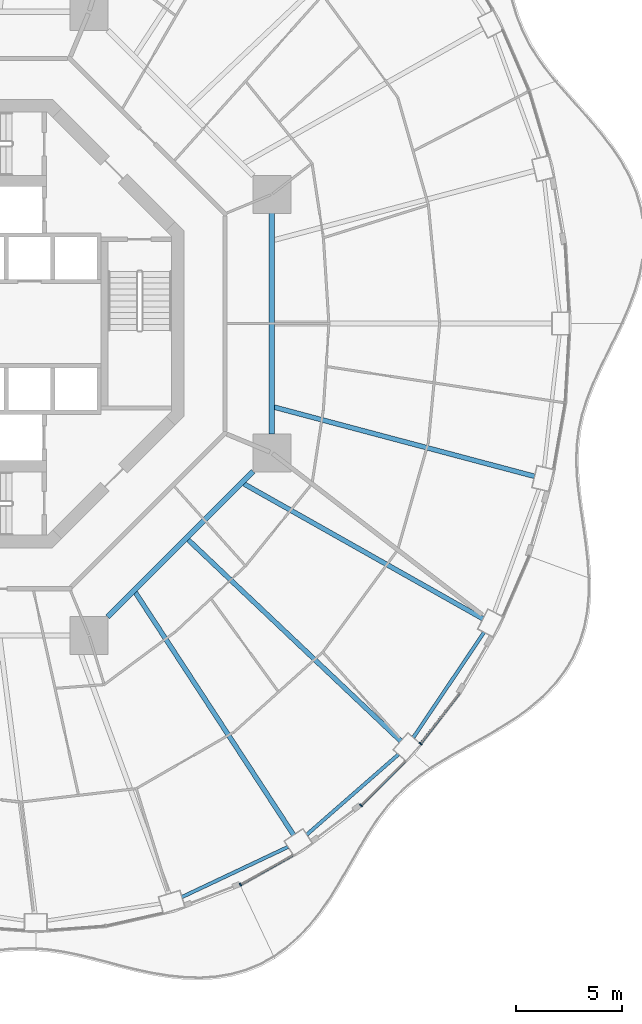
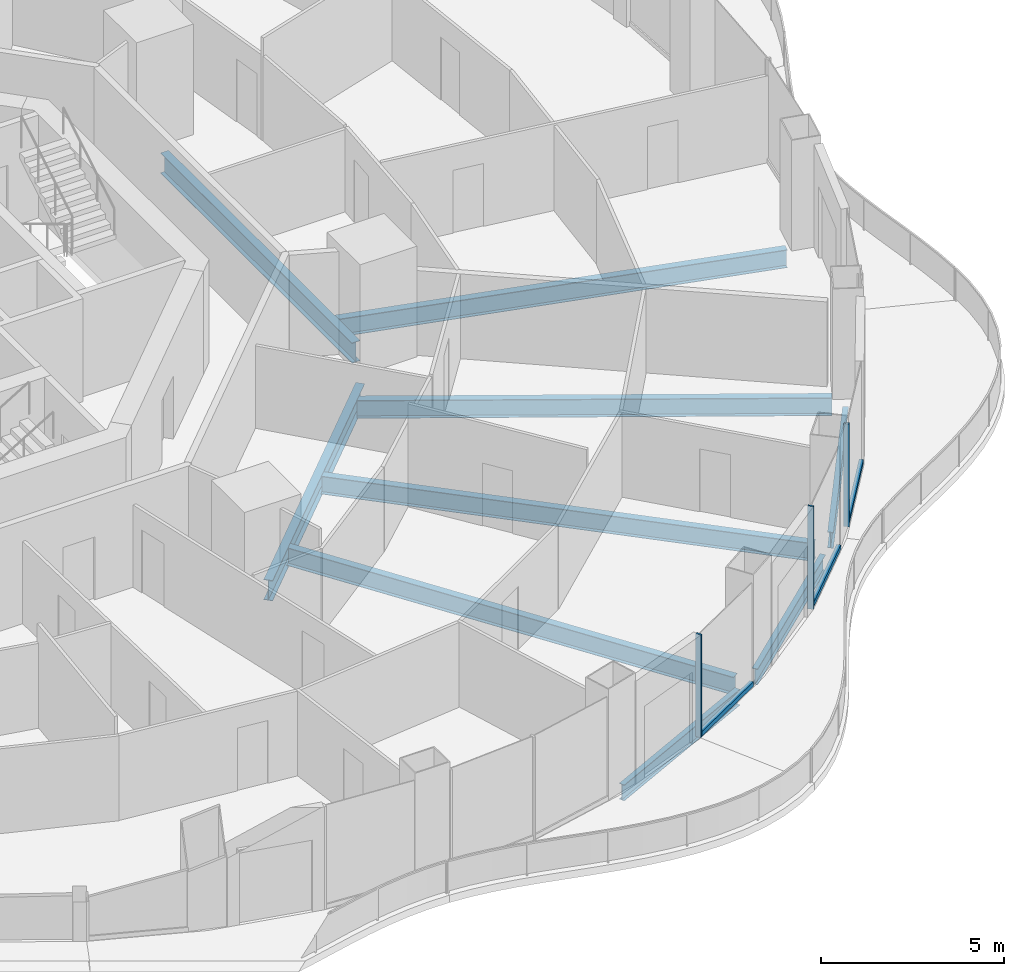
# One storey, part 4 of 19: 9 beams, 6 members, 3 elements without a shape of their own.
"""IFC4 building model written with IfcOpenShell, lengths in metres."""

from ifc_helpers import new_model, si_unit, direction, frame, origin, origin_2d, place, context, subcontext, project, spatial, rectangle, i_section, extrude, material, layer, layer_set, material_profile, profile_set, type_object, element, aggregate, save


model = new_model("IFC4")

# Units and contexts
model_context = context("Model", 3, precision=1e-05, world=origin(), true_north=direction((0.0, 1.0)))
body_context = subcontext(model_context, "Body", "Model", "MODEL_VIEW")
ifc_project = project(units=[si_unit("LENGTHUNIT", "METRE"), si_unit("AREAUNIT", "SQUARE_METRE"), si_unit("VOLUMEUNIT", "CUBIC_METRE"), si_unit("PLANEANGLEUNIT", "RADIAN"), si_unit("MASSUNIT", "GRAM", prefix="KILO")], contexts=[model_context])

# Site, building, storey
site_placement = place(None, origin())
site = spatial("IfcSite", under=ifc_project, at=site_placement, CompositionType="ELEMENT")
building_placement = place(site_placement, origin())
building = spatial("IfcBuilding", under=site, at=building_placement, Name="Nagisa Residences", CompositionType="ELEMENT")
storey_placement = place(building_placement, frame((0.0, 0.0, 188.10009765625)))
storey = spatial("IfcBuildingStorey", under=building, at=storey_placement, Name="L47", CompositionType="ELEMENT", Elevation=188.10009765625)

# Curtain wall, member
ifc_material_1 = material(Name="Concrete-coloured aluminium curtain wall system", Category="concrete")
ifc_layer = layer(ifc_material_1, 0.159912109375)
ifc_layer_set = layer_set([ifc_layer], Name="CW1 CURTAIN WALL")
curtain_wall_type = type_object("IfcCurtainWallType", Name="CW1 CURTAIN WALL", PredefinedType="NOTDEFINED", material=ifc_layer_set)
curtain_wall_1_placement = place(storey_placement, origin())
curtain_wall_1 = element("IfcCurtainWall", 1, at=curtain_wall_1_placement, inside=storey, type_object=curtain_wall_type, Name="cw:CW1:L47:39", PredefinedType="NOTDEFINED")
ifc_material_2 = material(Name="Concrete-coloured aluminium", Category="concrete")
ifc_material_profile_1 = material_profile(ifc_material_2, rectangle(XDim=0.159912109375, YDim=0.06005859375, at=origin_2d()), Name="CW1 MULLION 160x60")
ifc_profile_set_1 = profile_set([ifc_material_profile_1], Name="Concrete-coloured aluminium")
member_type_1 = type_object("IfcMemberType", Name="CW1 MULLION 160x60", PredefinedType="MULLION", material=ifc_profile_set_1)
member_1_placement = place(storey_placement, frame((13.297607421875, -26.592529296875, 0.0), z_axis=(0.0, 0.0, 1.0), x_axis=(-0.489376918501, 0.872072377523, 0.0)))
member_1 = element("IfcMember", 2, at=member_1_placement, type_object=member_type_1, Name="CW1 mullion", PredefinedType="MULLION", context=body_context, shape_type="SweptSolid", body=[
    extrude(rectangle(XDim=0.159912109375, YDim=0.06005859375, at=origin_2d()), origin(), (0.0, 0.0, 1.0), 3.43994140625),
])

curtain_wall_2_placement = place(storey_placement, origin())
curtain_wall_2 = element("IfcCurtainWall", 3, at=curtain_wall_2_placement, inside=storey, type_object=curtain_wall_type, Name="cw:CW1:L47:41", PredefinedType="NOTDEFINED")
member_2_placement = place(storey_placement, frame((19.011962890625, -22.830322265625, 0.0), z_axis=(0.0, 0.0, 1.0), x_axis=(-0.706376885714, 0.707835924016, 0.0)))
member_2 = element("IfcMember", 4, at=member_2_placement, type_object=member_type_1, Name="CW1 mullion", PredefinedType="MULLION", context=body_context, shape_type="SweptSolid", body=[
    extrude(rectangle(XDim=0.159912109375, YDim=0.06005859375, at=origin_2d()), origin(), (0.0, 0.0, 1.0), 3.43994140625),
])

curtain_wall_3_placement = place(storey_placement, origin())
curtain_wall_3 = element("IfcCurtainWall", 5, at=curtain_wall_3_placement, inside=storey, type_object=curtain_wall_type, Name="cw:CW1:L47:42", PredefinedType="NOTDEFINED")
member_3_placement = place(storey_placement, frame((21.83349609375, -19.909423828125, 0.0), z_axis=(0.0, 0.0, 1.0), x_axis=(-0.792070340816, 0.610429828235, 0.0)))
member_3 = element("IfcMember", 6, at=member_3_placement, type_object=member_type_1, Name="CW1 mullion", PredefinedType="MULLION", context=body_context, shape_type="SweptSolid", body=[
    extrude(rectangle(XDim=0.159912109375, YDim=0.06005859375, at=origin_2d()), origin(), (0.0, 0.0, 1.0), 3.43994140625),
])

# Member
ifc_material_3 = material(Name="Concrete-coloured aluminium", Category="concrete")
ifc_material_profile_2 = material_profile(ifc_material_3, rectangle(XDim=0.1201171875, YDim=0.14990234375, at=origin_2d()), Name="CW1 TRANSOM 120x150")
ifc_profile_set_2 = profile_set([ifc_material_profile_2], Name="Concrete-coloured aluminium")
member_type_2 = type_object("IfcMemberType", Name="CW1 TRANSOM 120x150", PredefinedType="USERDEFINED", material=ifc_profile_set_2)
member_4_placement = place(storey_placement, frame((13.271484375, -26.607177734375, 0.074951171875), z_axis=(0.872078262455, 0.489366431371, 0.0), x_axis=(-0.489366431371, 0.872078262455, 0.0)))
member_4 = element("IfcMember", 7, at=member_4_placement, type_object=member_type_2, Name="CW1 transom", ObjectType="TRANSOM", PredefinedType="USERDEFINED", context=body_context, shape_type="SweptSolid", body=[
    extrude(rectangle(XDim=0.1201171875, YDim=0.14990234375, at=origin_2d()), origin(), (0.0, 0.0, 1.0), 2.863525390625),
])

aggregate(curtain_wall_1, [member_1, member_4])

member_5_placement = place(storey_placement, frame((18.99072265625, -22.8515625, 0.074951171875), z_axis=(0.707803821372, 0.706409053206, 0.0), x_axis=(-0.706409053206, 0.707803821372, 0.0)))
member_5 = element("IfcMember", 8, at=member_5_placement, type_object=member_type_2, Name="CW1 transom", ObjectType="TRANSOM", PredefinedType="USERDEFINED", context=body_context, shape_type="SweptSolid", body=[
    extrude(rectangle(XDim=0.1201171875, YDim=0.14990234375, at=origin_2d()), origin(), (0.0, 0.0, 1.0), 2.9755859375),
])

aggregate(curtain_wall_2, [member_2, member_5])

member_6_placement = place(storey_placement, frame((21.815185546875, -19.933349609375, 0.074951171875), z_axis=(0.610398538814, 0.792094453846, 0.0), x_axis=(-0.792094453846, 0.610398538814, 0.0)))
member_6 = element("IfcMember", 9, at=member_6_placement, type_object=member_type_2, Name="CW1 transom", ObjectType="TRANSOM", PredefinedType="USERDEFINED", context=body_context, shape_type="SweptSolid", body=[
    extrude(rectangle(XDim=0.1201171875, YDim=0.14990234375, at=origin_2d()), origin(), (0.0, 0.0, 1.0), 3.035400390625),
])

aggregate(curtain_wall_3, [member_3, member_6])

# Beams
ifc_material_4 = material(Name="Steel ASTM A572 Gr 50", Category="steel")
ifc_material_profile_3 = material_profile(ifc_material_4, i_section(OverallWidth=0.25390625, OverallDepth=0.68408203125, WebThickness=0.012451171875, FlangeThickness=0.018798828125, at=origin_2d()), Name="W690x140")
ifc_profile_set_3 = profile_set([ifc_material_profile_3], Name="Steel ASTM A572 Gr 50")
beam_type_1 = type_object("IfcBeamType", Name="Inner ring beam W690x140", PredefinedType="BEAM", material=ifc_profile_set_3)
beam_1_placement = place(storey_placement, frame((7.0087890625, -13.896240234375, -0.60205078125), z_axis=(0.707106781187, 0.707106781187, 0.0), x_axis=(-0.707106781187, 0.707106781187, 0.0)))
element("IfcBeam", 10, at=beam_1_placement, inside=storey, type_object=beam_type_1, Name="beam:L47:ib7", PredefinedType="BEAM", context=body_context, shape_type="SweptSolid", body=[
    extrude(i_section(OverallWidth=0.25390625, OverallDepth=0.68408203125, WebThickness=0.012451171875, FlangeThickness=0.018798828125, at=origin_2d()), origin(), (0.0, 0.0, 1.0), 9.740234375),
])
beam_2_placement = place(storey_placement, frame((14.781982421875, -5.242919921875, -0.60205078125), z_axis=(0.0, 1.0, 0.0), x_axis=(-1.0, 0.0, 0.0)))
element("IfcBeam", 11, at=beam_2_placement, inside=storey, type_object=beam_type_1, Name="beam:L47:ib8", PredefinedType="BEAM", context=body_context, shape_type="SweptSolid", body=[
    extrude(i_section(OverallWidth=0.25390625, OverallDepth=0.68408203125, WebThickness=0.012451171875, FlangeThickness=0.018798828125, at=origin_2d()), origin(), (0.0, 0.0, 1.0), 10.48583984375),
])
ifc_material_5 = material(Name="Steel ASTM A572 Gr 50", Category="steel")
ifc_material_profile_4 = material_profile(ifc_material_5, i_section(OverallWidth=0.166015625, OverallDepth=0.534912109375, WebThickness=0.01025390625, FlangeThickness=0.0166015625, at=origin_2d()), Name="W530x85")
ifc_profile_set_4 = profile_set([ifc_material_profile_4], Name="Steel ASTM A572 Gr 50")
beam_type_2 = type_object("IfcBeamType", Name="Perimeter ring beam W530x85", PredefinedType="BEAM", material=ifc_profile_set_4)
beam_3_placement = place(storey_placement, frame((10.522705078125, -27.17919921875, -0.527587890625), z_axis=(0.904157325884, 0.427199637232, 0.0), x_axis=(-0.427199637232, 0.904157325884, 0.0)))
element("IfcBeam", 12, at=beam_3_placement, inside=storey, type_object=beam_type_2, Name="beam:L47:pb20", PredefinedType="BEAM", context=body_context, shape_type="SweptSolid", body=[
    extrude(i_section(OverallWidth=0.166015625, OverallDepth=0.534912109375, WebThickness=0.01025390625, FlangeThickness=0.0166015625, at=origin_2d()), origin(), (0.0, 0.0, 1.0), 5.56396484375),
])
beam_4_placement = place(storey_placement, frame((16.440185546875, -24.220947265625, -0.527587890625), z_axis=(0.752461486776, 0.658636250838, 0.0), x_axis=(-0.658636250838, 0.752461486776, 0.0)))
element("IfcBeam", 13, at=beam_4_placement, inside=storey, type_object=beam_type_2, Name="beam:L47:pb21", PredefinedType="BEAM", context=body_context, shape_type="SweptSolid", body=[
    extrude(i_section(OverallWidth=0.166015625, OverallDepth=0.534912109375, WebThickness=0.01025390625, FlangeThickness=0.0166015625, at=origin_2d()), origin(), (0.0, 0.0, 1.0), 5.776611328125),
])
beam_5_placement = place(storey_placement, frame((21.487548828125, -19.62060546875, -0.527587890625), z_axis=(0.558152301307, 0.829738518177, 0.0), x_axis=(-0.829738518177, 0.558152301307, 0.0)))
element("IfcBeam", 14, at=beam_5_placement, inside=storey, type_object=beam_type_2, Name="beam:L47:pb22", PredefinedType="BEAM", context=body_context, shape_type="SweptSolid", body=[
    extrude(i_section(OverallWidth=0.166015625, OverallDepth=0.534912109375, WebThickness=0.01025390625, FlangeThickness=0.0166015625, at=origin_2d()), origin(), (0.0, 0.0, 1.0), 6.013916015625),
])
ifc_material_6 = material(Name="Steel ASTM A572 Gr 50", Category="steel")
ifc_material_profile_5 = material_profile(ifc_material_6, i_section(OverallWidth=0.22802734375, OverallDepth=0.60302734375, WebThickness=0.010498046875, FlangeThickness=0.014892578125, at=origin_2d()), Name="W610x101")
ifc_profile_set_5 = profile_set([ifc_material_profile_5], Name="Steel ASTM A572 Gr 50")
beam_type_3 = type_object("IfcBeamType", Name="Radial beam W610x101", PredefinedType="BEAM", material=ifc_profile_set_5)
beam_6_placement = place(storey_placement, frame((15.816162109375, -24.234375, -0.5615234375), z_axis=(-0.546541244511, 0.837432187135, 0.0), x_axis=(-0.837432187135, -0.546541244511, 0.0)))
element("IfcBeam", 15, at=beam_6_placement, inside=storey, type_object=beam_type_3, Name="beam:L47:rb21", PredefinedType="BEAM", context=body_context, shape_type="SweptSolid", body=[
    extrude(i_section(OverallWidth=0.22802734375, OverallDepth=0.60302734375, WebThickness=0.010498046875, FlangeThickness=0.014892578125, at=origin_2d()), origin(), (0.0, 0.0, 1.0), 13.72412109375),
])
beam_7_placement = place(storey_placement, frame((20.89501953125, -19.785400390625, -0.5615234375), z_axis=(-0.726119962477, 0.687568033064, 0.0), x_axis=(-0.687568033064, -0.726119962477, 0.0)))
element("IfcBeam", 16, at=beam_7_placement, inside=storey, type_object=beam_type_3, Name="beam:L47:rb22", PredefinedType="BEAM", context=body_context, shape_type="SweptSolid", body=[
    extrude(i_section(OverallWidth=0.22802734375, OverallDepth=0.60302734375, WebThickness=0.010498046875, FlangeThickness=0.014892578125, at=origin_2d()), origin(), (0.0, 0.0, 1.0), 13.88134765625),
])
beam_8_placement = place(storey_placement, frame((24.789306640625, -13.98828125, -0.5615234375), z_axis=(-0.870904520395, 0.491452252366, 0.0), x_axis=(-0.491452252366, -0.870904520395, 0.0)))
element("IfcBeam", 17, at=beam_8_placement, inside=storey, type_object=beam_type_3, Name="beam:L47:rb23", PredefinedType="BEAM", context=body_context, shape_type="SweptSolid", body=[
    extrude(i_section(OverallWidth=0.22802734375, OverallDepth=0.60302734375, WebThickness=0.010498046875, FlangeThickness=0.014892578125, at=origin_2d()), origin(), (0.0, 0.0, 1.0), 13.007080078125),
])
beam_9_placement = place(storey_placement, frame((27.23583984375, -7.239990234375, -0.5615234375), z_axis=(-0.966436061719, 0.256907256826, 0.0), x_axis=(-0.256907256826, -0.966436061719, 0.0)))
element("IfcBeam", 18, at=beam_9_placement, inside=storey, type_object=beam_type_3, Name="beam:L47:rb24", PredefinedType="BEAM", context=body_context, shape_type="SweptSolid", body=[
    extrude(i_section(OverallWidth=0.22802734375, OverallDepth=0.60302734375, WebThickness=0.010498046875, FlangeThickness=0.014892578125, at=origin_2d()), origin(), (0.0, 0.0, 1.0), 12.77490234375),
])

save(model, "model.ifc")
